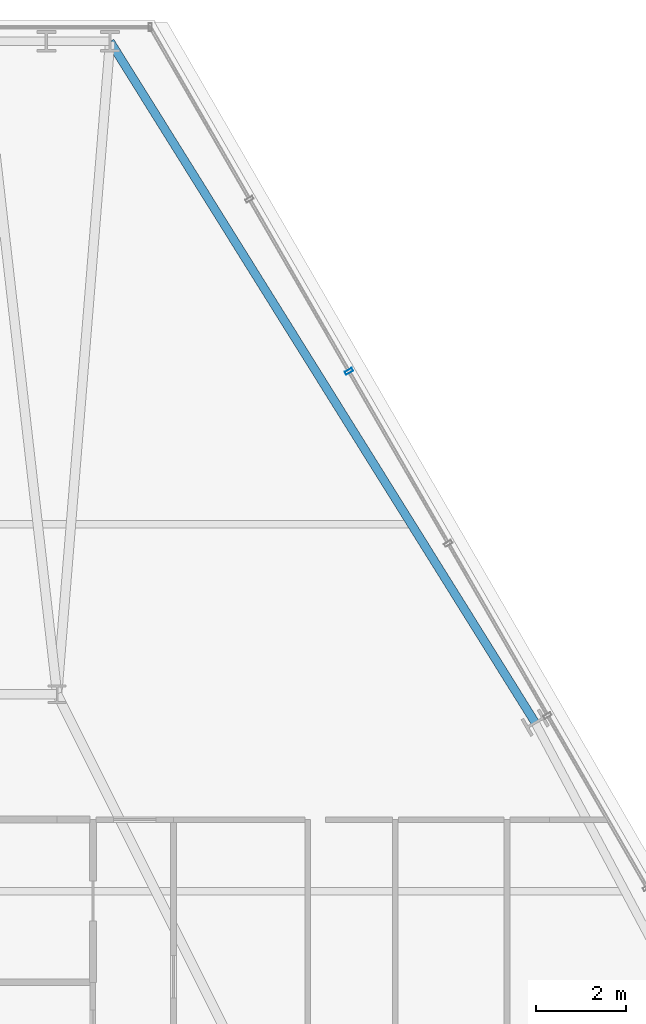
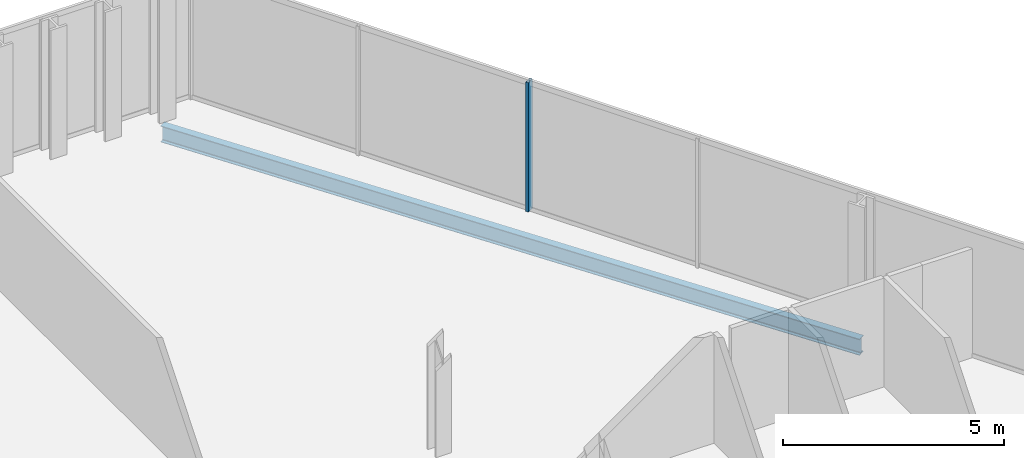
# One storey, part 23 of 31: 1 beam, 1 member, 1 element without a shape of its own.
"""IFC4 building model written with IfcOpenShell, lengths in metres."""

from ifc_helpers import new_model, si_unit, direction, frame, origin, origin_2d, place, context, subcontext, project, spatial, hollow_rectangle, i_section, extrude, material, layer, layer_set, material_profile, profile_set, type_object, element, aggregate, save


model = new_model("IFC4")

# Units and contexts
model_context = context("Model", 3, precision=1e-05, world=origin(), true_north=direction((0.0, 1.0)))
body_context = subcontext(model_context, "Body", "Model", "MODEL_VIEW")
ifc_project = project(units=[si_unit("LENGTHUNIT", "METRE"), si_unit("AREAUNIT", "SQUARE_METRE"), si_unit("VOLUMEUNIT", "CUBIC_METRE"), si_unit("PLANEANGLEUNIT", "RADIAN"), si_unit("MASSUNIT", "GRAM", prefix="KILO")], contexts=[model_context])

# Site, building, storey
site_placement = place(None, origin())
site = spatial("IfcSite", under=ifc_project, at=site_placement, CompositionType="ELEMENT")
building_placement = place(site_placement, origin())
building = spatial("IfcBuilding", under=site, at=building_placement, Name="Ndaravel Arena Tower", CompositionType="ELEMENT")
storey_placement = place(building_placement, frame((0.0, 0.0, 138.39990234375)))
storey = spatial("IfcBuildingStorey", under=building, at=storey_placement, Name="L32", CompositionType="ELEMENT", Elevation=138.39990234375)

# Beam
ifc_material_1 = material(Name="Steel S355", Category="steel")
ifc_material_profile_1 = material_profile(ifc_material_1, i_section(OverallWidth=0.18994140625, OverallDepth=0.449951171875, WebThickness=0.009521484375, FlangeThickness=0.0146484375, FilletRadius=0.02099609375, at=origin_2d()), Name="IPE 450")
ifc_profile_set_1 = profile_set([ifc_material_profile_1], Name="Steel S355")
beam_type = type_object("IfcBeamType", Name="BM-SPAN-IPE450", PredefinedType="SPANDREL", material=ifc_profile_set_1)
beam_placement = place(storey_placement, frame((56.482421875, 30.564208984375, -0.44482421875), z_axis=(-0.529460656286, 0.848334493844, 0.0), x_axis=(-0.848334493844, -0.529460656286, 0.0)))
element("IfcBeam", 1, at=beam_placement, inside=storey, type_object=beam_type, Name="L32 Perimeter Spandrel Beam SP-10", PredefinedType="SPANDREL", context=body_context, shape_type="SweptSolid", body=[
    extrude(i_section(OverallWidth=0.18994140625, OverallDepth=0.449951171875, WebThickness=0.009521484375, FlangeThickness=0.0146484375, FilletRadius=0.02099609375, at=origin_2d()), origin(), (0.0, 0.0, 1.0), 17.94189453125),
])

# Curtain wall, member
ifc_material_2 = material(Name="Aluminium", Category="aluminium")
ifc_layer = layer(ifc_material_2, 0.179931640625)
ifc_layer_set = layer_set([ifc_layer], Name="Aluminium")
curtain_wall_type = type_object("IfcCurtainWallType", Name="CW-SYS-03", PredefinedType="NOTDEFINED", material=ifc_layer_set)
curtain_wall_placement = place(storey_placement, origin())
curtain_wall = element("IfcCurtainWall", 2, at=curtain_wall_placement, inside=storey, type_object=curtain_wall_type, Name="L32 Faceted Crystal Curtain Wall CW-L32-E03", PredefinedType="NOTDEFINED")
ifc_material_3 = material(Name="Aluminium", Category="aluminium")
ifc_material_profile_2 = material_profile(ifc_material_3, hollow_rectangle(XDim=0.074951171875, YDim=0.179931640625, WallThickness=0.00390625, at=origin_2d()), Name="CW MULLION 75x180x4")
ifc_profile_set_2 = profile_set([ifc_material_profile_2], Name="Aluminium")
member_type = type_object("IfcMemberType", Name="MEM-CW-MUL180", PredefinedType="MULLION", material=ifc_profile_set_2)
member_placement = place(storey_placement, frame((52.3193359375, 38.41455078125, 0.0), z_axis=(0.0, 0.0, 1.0), x_axis=(-0.5, 0.866025403784, 0.0)))
member = element("IfcMember", 3, at=member_placement, type_object=member_type, Name="CW-L32-E03 Mullion 06", PredefinedType="MULLION", context=body_context, shape_type="SweptSolid", body=[
    extrude(hollow_rectangle(XDim=0.074951171875, YDim=0.179931640625, WallThickness=0.00390625, at=origin_2d()), origin(), (0.0, 0.0, 1.0), 3.580078125),
])
aggregate(curtain_wall, [member])

save(model, "model.ifc")
